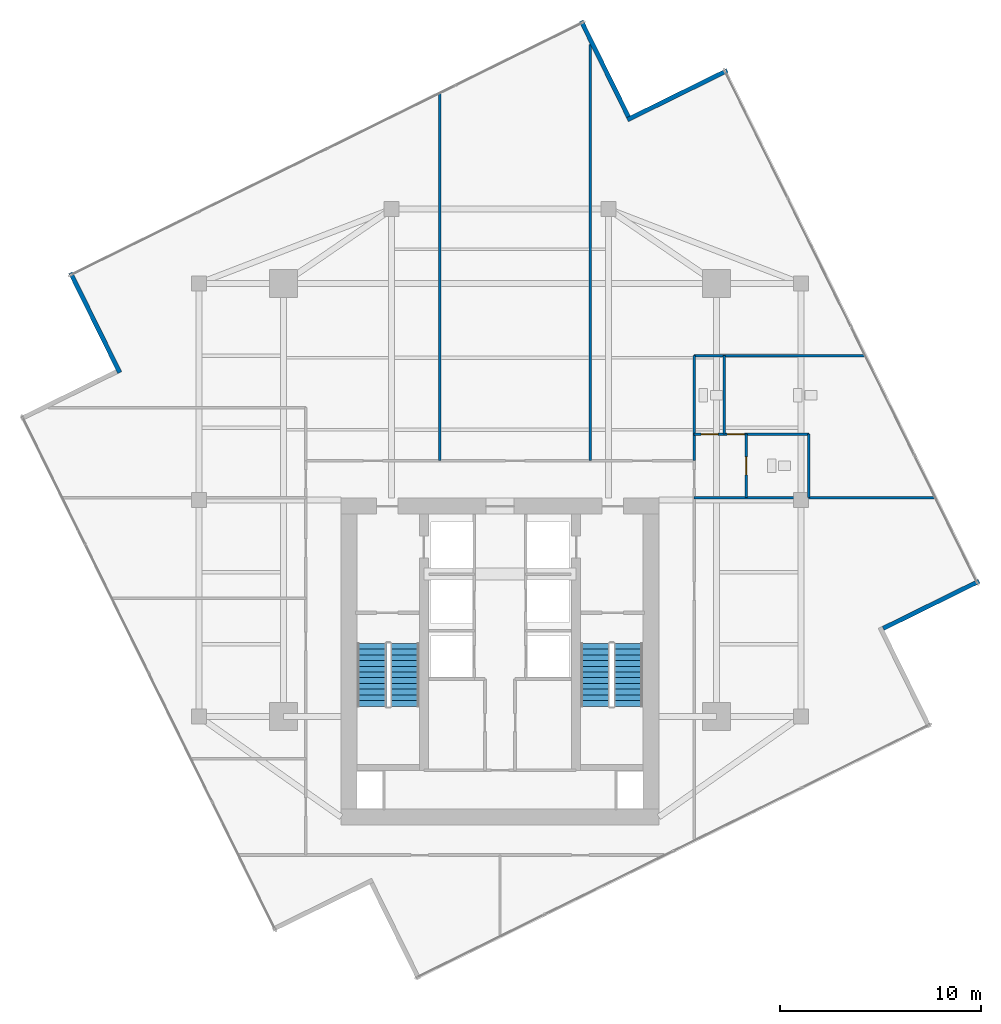
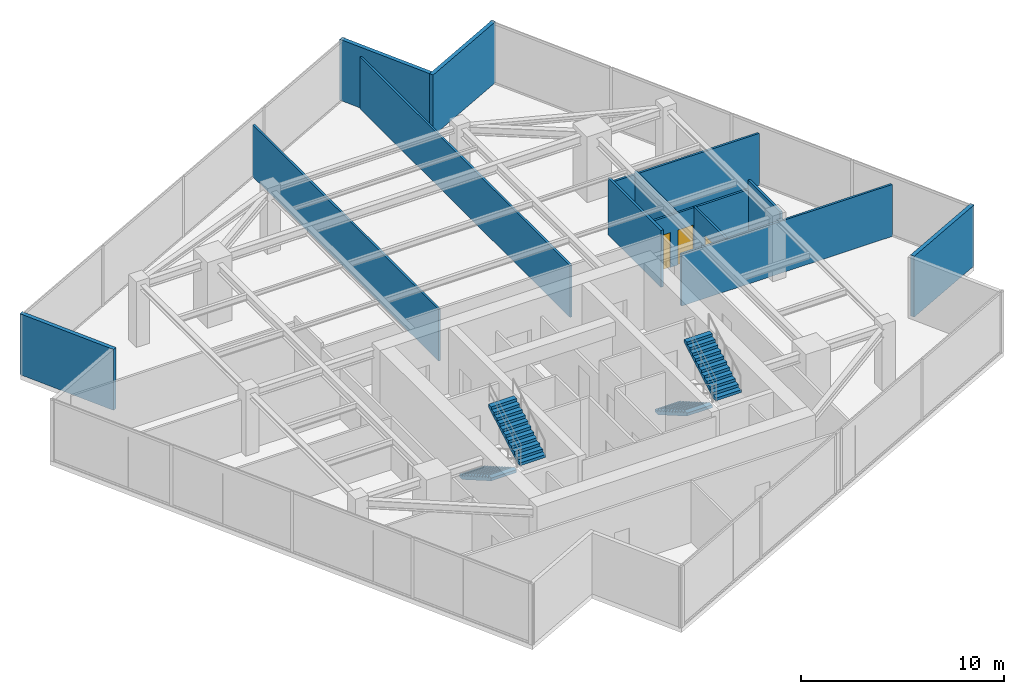
# One storey, part 20 of 22: 13 walls, 4 stair flights, 3 doors, 3 openings, 2 elements without a shape of their own.
"""IFC4 building model written with IfcOpenShell, lengths in metres."""

from ifc_helpers import new_model, si_unit, direction, frame, frame_2d, origin, place, context, subcontext, project, spatial, polyline, rectangle, outline, extrude, material, layer, layer_set, type_object, element, fill, aggregate, save


model = new_model("IFC4")

# Units and contexts
model_context = context("Model", 3, precision=1e-05, world=origin(), true_north=direction((0.0, 1.0)))
body_context = subcontext(model_context, "Body", "Model", "MODEL_VIEW")
ifc_project = project(units=[si_unit("LENGTHUNIT", "METRE"), si_unit("AREAUNIT", "SQUARE_METRE"), si_unit("VOLUMEUNIT", "CUBIC_METRE"), si_unit("PLANEANGLEUNIT", "RADIAN"), si_unit("MASSUNIT", "GRAM", prefix="KILO")], contexts=[model_context])

# Site, building, storey
site_placement = place(None, origin())
site = spatial("IfcSite", under=ifc_project, at=site_placement, CompositionType="ELEMENT")
building_placement = place(site_placement, origin())
building = spatial("IfcBuilding", under=site, at=building_placement, Name="Krantzveldt Concourse Tower", CompositionType="ELEMENT")
storey_placement = place(building_placement, frame((0.0, 0.0, 310.85009765625)))
storey = spatial("IfcBuildingStorey", under=building, at=storey_placement, Name="L76", CompositionType="ELEMENT", Elevation=310.85009765625)

# Walls
ifc_material_1 = material(Name="Anodised aluminium 6063-T6", Category="aluminium")
ifc_layer_1 = layer(ifc_material_1, 0.219970703125, Name="Anodised aluminium 6063-T6", Category="aluminium")
ifc_layer_set_1 = layer_set([ifc_layer_1], Name="Anodised aluminium 6063-T6 (WL-EXT-NOTCH220)")
wall_type_1 = type_object("IfcWallType", Name="WL-EXT-NOTCH220", PredefinedType="ELEMENTEDWALL", material=ifc_layer_set_1)
wall_1_placement = place(storey_placement, frame((42.40185546875, 45.80126953125, 0.0), z_axis=(0.0, 0.0, 1.0), x_axis=(-0.442291978932, 0.896871119712, 0.0)))
element("IfcWall", 1, at=wall_1_placement, inside=storey, type_object=wall_type_1, Name="EW-L76-NCH00", PredefinedType="ELEMENTEDWALL", context=body_context, shape_type="SweptSolid", body=[
    extrude(rectangle(XDim=5.324951171875, YDim=0.219970703125, at=frame_2d((2.66259765625, 0.0))), origin(), (0.0, 0.0, 1.0), 3.669921875),
])
wall_2_placement = place(storey_placement, frame((14.593505859375, 38.025146484375, 0.0), z_axis=(0.0, 0.0, 1.0), x_axis=(0.442275503639, -0.896879244314, 0.0)))
element("IfcWall", 2, at=wall_2_placement, inside=storey, type_object=wall_type_1, Name="EW-L76-NCH02", PredefinedType="ELEMENTEDWALL", context=body_context, shape_type="SweptSolid", body=[
    extrude(rectangle(XDim=5.544921875, YDim=0.219970703125, at=frame_2d((2.7724609375, 0.0))), origin(), (0.0, 0.0, 1.0), 3.669921875),
])
wall_3_placement = place(storey_placement, frame((55.101318359375, 20.298095703125, 0.0), z_axis=(0.0, 0.0, 1.0), x_axis=(0.896871119712, 0.442291978932, 0.0)))
element("IfcWall", 3, at=wall_3_placement, inside=storey, type_object=wall_type_1, Name="EW-L76-NCH09", PredefinedType="ELEMENTEDWALL", context=body_context, shape_type="SweptSolid", body=[
    extrude(rectangle(XDim=5.324951171875, YDim=0.219970703125, at=frame_2d((2.66259765625, 0.0))), origin(), (0.0, 0.0, 1.0), 3.669921875),
])
wall_4_placement = place(storey_placement, frame((47.324951171875, 48.1064453125, 0.0), z_axis=(0.0, 0.0, 1.0), x_axis=(-0.896879244314, -0.442275503639, 0.0)))
element("IfcWall", 4, at=wall_4_placement, inside=storey, type_object=wall_type_1, Name="EW-L76-NCH11", PredefinedType="ELEMENTEDWALL", context=body_context, shape_type="SweptSolid", body=[
    extrude(rectangle(XDim=5.544921875, YDim=0.219970703125, at=frame_2d((2.7724609375, 0.0))), origin(), (0.0, 0.0, 1.0), 3.669921875),
])
ifc_material_2 = material(Name="Fire-rated gypsum plasterboard on steel stud", Category="steel")
ifc_layer_2 = layer(ifc_material_2, 0.1201171875, Name="Fire-rated gypsum plasterboard on steel stud", Category="steel")
ifc_layer_set_2 = layer_set([ifc_layer_2], Name="Fire-rated gypsum plasterboard on steel stud (WL-PART-120)")
wall_type_2 = type_object("IfcWallType", Name="WL-PART-120", PredefinedType="PARTITIONING", material=ifc_layer_set_2)
wall_5_placement = place(storey_placement, frame((45.679931640625, 26.820068359375, 0.0), z_axis=(0.0, 0.0, 1.0), x_axis=(1.0, 0.0, 0.0)))
element("IfcWall", 5, at=wall_5_placement, inside=storey, type_object=wall_type_2, Name="WP-L76-WCBS", PredefinedType="PARTITIONING", context=body_context, shape_type="SweptSolid", body=[
    extrude(rectangle(XDim=12.01416015625, YDim=0.1201171875, at=frame_2d((6.007080078125, 0.0))), origin(), (0.0, 0.0, 1.0), 3.1298828125),
])
wall_6_placement = place(storey_placement, frame((45.679931640625, 33.89990234375, 0.0), z_axis=(0.0, 0.0, 1.0), x_axis=(1.0, 0.0, 0.0)))
element("IfcWall", 6, at=wall_6_placement, inside=storey, type_object=wall_type_2, Name="WP-L76-WCBN", PredefinedType="PARTITIONING", context=body_context, shape_type="SweptSolid", body=[
    extrude(rectangle(XDim=8.522705078125, YDim=0.1201171875, at=frame_2d((4.26123046875, 0.0))), origin(), (0.0, 0.0, 1.0), 3.1298828125),
])

# Wall, openings, doors
wall_7_placement = place(storey_placement, frame((45.679931640625, 29.97998046875, 0.0), z_axis=(0.0, 0.0, 1.0), x_axis=(1.0, 0.0, 0.0)))
wall_7 = element("IfcWall", 7, at=wall_7_placement, inside=storey, type_object=wall_type_2, Name="WP-L76-WCMH", PredefinedType="PARTITIONING", context=body_context, shape_type="SweptSolid", body=[
    extrude(rectangle(XDim=5.719970703125, YDim=0.1201171875, at=frame_2d((2.85986328125, 0.0))), origin(), (0.0, 0.0, 1.0), 3.1298828125),
])
opening_1_placement = place(wall_7_placement, frame((1.64501953125, 0.0, 0.0)))
opening_1 = element("IfcOpeningElement", 8, at=opening_1_placement, cuts=wall_7, Name="Opening D-IN085", PredefinedType="OPENING", context=body_context, shape_type="SweptSolid", body=[
    extrude(rectangle(XDim=0.85009765625, YDim=2.10009765625, at=frame_2d((0.425048828125, 1.050048828125))), frame((0.0, 0.070068359375, 0.0), z_axis=(0.0, -1.0, 0.0), x_axis=(1.0, 0.0, 0.0)), (0.0, 0.0, 1.0), 0.14013671875),
])
opening_2_placement = place(wall_7_placement, frame((0.344970703125, 0.0, 0.0)))
opening_2 = element("IfcOpeningElement", 9, at=opening_2_placement, cuts=wall_7, Name="Opening D-IN085", PredefinedType="OPENING", context=body_context, shape_type="SweptSolid", body=[
    extrude(rectangle(XDim=0.85009765625, YDim=2.10009765625, at=frame_2d((0.425048828125, 1.050048828125))), frame((0.0, 0.070068359375, 0.0), z_axis=(0.0, -1.0, 0.0), x_axis=(1.0, 0.0, 0.0)), (0.0, 0.0, 1.0), 0.14013671875),
])
ifc_material_3 = material(Name="Hardwood timber", Category="wood")
door_type_1 = type_object("IfcDoorType", Name="DR-INT-850", OperationType="SINGLE_SWING_LEFT", PredefinedType="DOOR", material=ifc_material_3)
door_1_placement = place(opening_1_placement, origin())
door_1 = element("IfcDoor", 10, at=door_1_placement, inside=storey, type_object=door_type_1, Name="DR-L76-WCM", OperationType="SINGLE_SWING_RIGHT", OverallHeight=2.10009765625, OverallWidth=0.85009765625, PredefinedType="DOOR", context=body_context, shape_type="SweptSolid", body=[
    extrude(rectangle(XDim=0.85009765625, YDim=2.10009765625, at=frame_2d((0.425048828125, 1.050048828125))), frame((0.0, 0.02490234375, 0.0), z_axis=(0.0, -1.0, 0.0), x_axis=(1.0, 0.0, 0.0)), (0.0, 0.0, 1.0), 0.050048828125),
])
fill(opening_1, door_1)
door_2_placement = place(opening_2_placement, origin())
door_2 = element("IfcDoor", 11, at=door_2_placement, inside=storey, type_object=door_type_1, Name="DR-L76-WCF", OperationType="SINGLE_SWING_LEFT", OverallHeight=2.10009765625, OverallWidth=0.85009765625, PredefinedType="DOOR", context=body_context, shape_type="SweptSolid", body=[
    extrude(rectangle(XDim=0.85009765625, YDim=2.10009765625, at=frame_2d((0.425048828125, 1.050048828125))), frame((0.0, 0.02490234375, 0.0), z_axis=(0.0, -1.0, 0.0), x_axis=(1.0, 0.0, 0.0)), (0.0, 0.0, 1.0), 0.050048828125),
])
fill(opening_2, door_2)

# Wall
wall_8_placement = place(storey_placement, frame((51.39990234375, 26.820068359375, 0.0), z_axis=(0.0, 0.0, 1.0), x_axis=(0.0, 1.0, 0.0)))
element("IfcWall", 12, at=wall_8_placement, inside=storey, type_object=wall_type_2, Name="WP-L76-WCAR", PredefinedType="PARTITIONING", context=body_context, shape_type="SweptSolid", body=[
    extrude(rectangle(XDim=3.159912109375, YDim=0.1201171875, at=frame_2d((1.580078125, 0.0))), origin(), (0.0, 0.0, 1.0), 3.669921875),
])

# Wall, opening, door
wall_9_placement = place(storey_placement, frame((48.280029296875, 26.820068359375, 0.0), z_axis=(0.0, 0.0, 1.0), x_axis=(0.0, 1.0, 0.0)))
wall_9 = element("IfcWall", 13, at=wall_9_placement, inside=storey, type_object=wall_type_2, Name="WP-L76-WCAV", PredefinedType="PARTITIONING", context=body_context, shape_type="SweptSolid", body=[
    extrude(rectangle(XDim=3.159912109375, YDim=0.1201171875, at=frame_2d((1.580078125, 0.0))), origin(), (0.0, 0.0, 1.0), 3.179931640625),
])
opening_3_placement = place(wall_9_placement, frame((1.1298828125, 0.0, 0.0)))
opening_3 = element("IfcOpeningElement", 14, at=opening_3_placement, cuts=wall_9, Name="Opening D-IN090", PredefinedType="OPENING", context=body_context, shape_type="SweptSolid", body=[
    extrude(rectangle(XDim=0.89990234375, YDim=2.10009765625, at=frame_2d((0.449951171875, 1.050048828125))), frame((0.0, 0.070068359375, 0.0), z_axis=(0.0, -1.0, 0.0), x_axis=(1.0, 0.0, 0.0)), (0.0, 0.0, 1.0), 0.14013671875),
])
door_type_2 = type_object("IfcDoorType", Name="DR-INT-900", OperationType="SINGLE_SWING_LEFT", PredefinedType="DOOR", material=ifc_material_3)
door_3_placement = place(opening_3_placement, origin())
door_3 = element("IfcDoor", 15, at=door_3_placement, inside=storey, type_object=door_type_2, Name="DR-L76-WCA", OperationType="SINGLE_SWING_RIGHT", OverallHeight=2.10009765625, OverallWidth=0.89990234375, PredefinedType="DOOR", context=body_context, shape_type="SweptSolid", body=[
    extrude(rectangle(XDim=0.89990234375, YDim=2.10009765625, at=frame_2d((0.449951171875, 1.050048828125))), frame((0.0, 0.02490234375, 0.0), z_axis=(0.0, -1.0, 0.0), x_axis=(1.0, 0.0, 0.0)), (0.0, 0.0, 1.0), 0.050048828125),
])
fill(opening_3, door_3)

# Walls
wall_10_placement = place(storey_placement, frame((47.179931640625, 29.97998046875, 0.0), z_axis=(0.0, 0.0, 1.0), x_axis=(0.0, 1.0, 0.0)))
element("IfcWall", 16, at=wall_10_placement, inside=storey, type_object=wall_type_2, Name="WP-L76-WCFD", PredefinedType="PARTITIONING", context=body_context, shape_type="SweptSolid", body=[
    extrude(rectangle(XDim=3.919921875, YDim=0.1201171875, at=frame_2d((1.9599609375, 0.0))), origin(), (0.0, 0.0, 1.0), 3.309814453125),
])
wall_11_placement = place(storey_placement, frame((33.0, 28.659912109375, 0.0), z_axis=(0.0, 0.0, 1.0), x_axis=(0.0, 1.0, 0.0)))
element("IfcWall", 17, at=wall_11_placement, inside=storey, type_object=wall_type_2, Name="WP-L76-ND1", PredefinedType="PARTITIONING", context=body_context, shape_type="SweptSolid", body=[
    extrude(rectangle(XDim=18.31396484375, YDim=0.1201171875, at=frame_2d((9.156982421875, 0.0))), origin(), (0.0, 0.0, 1.0), 3.1298828125),
])
wall_12_placement = place(storey_placement, frame((40.5, 28.659912109375, 0.0), z_axis=(0.0, 0.0, 1.0), x_axis=(0.0, 1.0, 0.0)))
element("IfcWall", 18, at=wall_12_placement, inside=storey, type_object=wall_type_2, Name="WP-L76-ND2", PredefinedType="PARTITIONING", context=body_context, shape_type="SweptSolid", body=[
    extrude(rectangle(XDim=20.738037109375, YDim=0.1201171875, at=frame_2d((10.369140625, 0.0))), origin(), (0.0, 0.0, 1.0), 3.1298828125),
])
ifc_layer_3 = layer(ifc_material_2, 0.139892578125, Name="Fire-rated gypsum plasterboard on steel stud", Category="steel")
ifc_layer_set_3 = layer_set([ifc_layer_3], Name="Fire-rated gypsum plasterboard on steel stud (WL-PART-140)")
wall_type_3 = type_object("IfcWallType", Name="WL-PART-140", PredefinedType="PARTITIONING", material=ifc_layer_set_3)
wall_13_placement = place(storey_placement, frame((45.679931640625, 28.659912109375, 0.0), z_axis=(0.0, 0.0, 1.0), x_axis=(0.0, 1.0, 0.0)))
element("IfcWall", 19, at=wall_13_placement, inside=storey, type_object=wall_type_3, Name="WP-L76-NER", PredefinedType="PARTITIONING", context=body_context, shape_type="SweptSolid", body=[
    extrude(rectangle(XDim=5.239990234375, YDim=0.139892578125, at=frame_2d((2.6201171875, 0.0))), origin(), (0.0, 0.0, 1.0), 3.429931640625),
])

# Stair, stair flights
ifc_material_4 = material(Name="Precast concrete C40/50", Category="concrete")
stair_type = type_object("IfcStairType", Name="STR-CORE-DOGLEG", PredefinedType="HALF_TURN_STAIR", material=ifc_material_4)
stair_1_placement = place(storey_placement, origin())
stair_1 = element("IfcStair", 20, at=stair_1_placement, inside=storey, type_object=stair_type, Name="L76 Protected Escape Stair ST-1", PredefinedType="HALF_TURN_STAIR")
stair_flight_type = type_object("IfcStairFlightType", Name="STF-CORE-1450", PredefinedType="STRAIGHT", material=ifc_material_4)
stair_flight_1_placement = place(storey_placement, frame((29.60498046875, 19.550048828125, 0.0), z_axis=(0.0, 0.0, 1.0), x_axis=(0.0, -1.0, 0.0)))
stair_flight_1 = element("IfcStairFlight", 21, at=stair_flight_1_placement, type_object=stair_flight_type, Name="ST-1 flight 1", NumberOfRisers=12, NumberOfTreads=11, PredefinedType="STRAIGHT", RiserHeight=0.164583333, TreadLength=0.285, context=body_context, shape_type="SweptSolid", body=[
    extrude(outline(polyline([(0.0, 0.0), (0.0, 0.16455078125), (0.284912109375, 0.16455078125), (0.284912109375, 0.3291015625), (0.570068359375, 0.3291015625), (0.570068359375, 0.49365234375), (0.85498046875, 0.49365234375), (0.85498046875, 0.658447265625), (1.139892578125, 0.658447265625), (1.139892578125, 0.822998046875), (1.425048828125, 0.822998046875), (1.425048828125, 0.987548828125), (1.7099609375, 0.987548828125), (1.7099609375, 1.152099609375), (1.9951171875, 1.152099609375), (1.9951171875, 1.316650390625), (2.280029296875, 1.316650390625), (2.280029296875, 1.481201171875), (2.56494140625, 1.481201171875), (2.56494140625, 1.645751953125), (2.85009765625, 1.645751953125), (2.85009765625, 1.810302734375), (3.135009765625, 1.810302734375), (3.135009765625, 1.97509765625), (3.135009765625, 1.63720703125), (0.2998046875, 0.0), (0.0, 0.0)])), frame((0.0, 0.72509765625, 0.0), z_axis=(0.0, -1.0, 0.0), x_axis=(1.0, 0.0, 0.0)), (0.0, 0.0, 1.0), 1.449951171875),
])
stair_flight_2_placement = place(storey_placement, frame((31.2548828125, 16.4150390625, 1.974853515625), z_axis=(0.0, 0.0, 1.0), x_axis=(0.0, 1.0, 0.0)))
stair_flight_2 = element("IfcStairFlight", 22, at=stair_flight_2_placement, type_object=stair_flight_type, Name="ST-1 flight 2", NumberOfRisers=12, NumberOfTreads=11, PredefinedType="STRAIGHT", RiserHeight=0.164583333, TreadLength=0.285, context=body_context, shape_type="SweptSolid", body=[
    extrude(outline(polyline([(0.0, 0.0), (0.0, 0.16455078125), (0.284912109375, 0.16455078125), (0.284912109375, 0.3291015625), (0.570068359375, 0.3291015625), (0.570068359375, 0.49365234375), (0.85498046875, 0.49365234375), (0.85498046875, 0.658447265625), (1.139892578125, 0.658447265625), (1.139892578125, 0.822998046875), (1.425048828125, 0.822998046875), (1.425048828125, 0.987548828125), (1.7099609375, 0.987548828125), (1.7099609375, 1.152099609375), (1.9951171875, 1.152099609375), (1.9951171875, 1.316650390625), (2.280029296875, 1.316650390625), (2.280029296875, 1.481201171875), (2.56494140625, 1.481201171875), (2.56494140625, 1.645751953125), (2.85009765625, 1.645751953125), (2.85009765625, 1.810302734375), (3.135009765625, 1.810302734375), (3.135009765625, 1.97509765625), (3.135009765625, 1.63720703125), (0.2998046875, 0.0), (0.0, 0.0)])), frame((0.0, 0.72509765625, 0.0), z_axis=(0.0, -1.0, 0.0), x_axis=(1.0, 0.0, 0.0)), (0.0, 0.0, 1.0), 1.449951171875),
])
aggregate(stair_1, [stair_flight_1, stair_flight_2])

stair_2_placement = place(storey_placement, origin())
stair_2 = element("IfcStair", 23, at=stair_2_placement, inside=storey, type_object=stair_type, Name="L76 Protected Escape Stair ST-2", PredefinedType="HALF_TURN_STAIR")
stair_flight_3_placement = place(storey_placement, frame((40.7451171875, 19.550048828125, 0.0), z_axis=(0.0, 0.0, 1.0), x_axis=(0.0, -1.0, 0.0)))
stair_flight_3 = element("IfcStairFlight", 24, at=stair_flight_3_placement, type_object=stair_flight_type, Name="ST-2 flight 1", NumberOfRisers=12, NumberOfTreads=11, PredefinedType="STRAIGHT", RiserHeight=0.164583333, TreadLength=0.285, context=body_context, shape_type="SweptSolid", body=[
    extrude(outline(polyline([(0.0, 0.0), (0.0, 0.16455078125), (0.284912109375, 0.16455078125), (0.284912109375, 0.3291015625), (0.570068359375, 0.3291015625), (0.570068359375, 0.49365234375), (0.85498046875, 0.49365234375), (0.85498046875, 0.658447265625), (1.139892578125, 0.658447265625), (1.139892578125, 0.822998046875), (1.425048828125, 0.822998046875), (1.425048828125, 0.987548828125), (1.7099609375, 0.987548828125), (1.7099609375, 1.152099609375), (1.9951171875, 1.152099609375), (1.9951171875, 1.316650390625), (2.280029296875, 1.316650390625), (2.280029296875, 1.481201171875), (2.56494140625, 1.481201171875), (2.56494140625, 1.645751953125), (2.85009765625, 1.645751953125), (2.85009765625, 1.810302734375), (3.135009765625, 1.810302734375), (3.135009765625, 1.97509765625), (3.135009765625, 1.63720703125), (0.2998046875, 0.0), (0.0, 0.0)])), frame((0.0, 0.72509765625, 0.0), z_axis=(0.0, -1.0, 0.0), x_axis=(1.0, 0.0, 0.0)), (0.0, 0.0, 1.0), 1.449951171875),
])
stair_flight_4_placement = place(storey_placement, frame((42.39501953125, 16.4150390625, 1.974853515625), z_axis=(0.0, 0.0, 1.0), x_axis=(0.0, 1.0, 0.0)))
stair_flight_4 = element("IfcStairFlight", 25, at=stair_flight_4_placement, type_object=stair_flight_type, Name="ST-2 flight 2", NumberOfRisers=12, NumberOfTreads=11, PredefinedType="STRAIGHT", RiserHeight=0.164583333, TreadLength=0.285, context=body_context, shape_type="SweptSolid", body=[
    extrude(outline(polyline([(0.0, 0.0), (0.0, 0.16455078125), (0.284912109375, 0.16455078125), (0.284912109375, 0.3291015625), (0.570068359375, 0.3291015625), (0.570068359375, 0.49365234375), (0.85498046875, 0.49365234375), (0.85498046875, 0.658447265625), (1.139892578125, 0.658447265625), (1.139892578125, 0.822998046875), (1.425048828125, 0.822998046875), (1.425048828125, 0.987548828125), (1.7099609375, 0.987548828125), (1.7099609375, 1.152099609375), (1.9951171875, 1.152099609375), (1.9951171875, 1.316650390625), (2.280029296875, 1.316650390625), (2.280029296875, 1.481201171875), (2.56494140625, 1.481201171875), (2.56494140625, 1.645751953125), (2.85009765625, 1.645751953125), (2.85009765625, 1.810302734375), (3.135009765625, 1.810302734375), (3.135009765625, 1.97509765625), (3.135009765625, 1.63720703125), (0.2998046875, 0.0), (0.0, 0.0)])), frame((0.0, 0.72509765625, 0.0), z_axis=(0.0, -1.0, 0.0), x_axis=(1.0, 0.0, 0.0)), (0.0, 0.0, 1.0), 1.449951171875),
])
aggregate(stair_2, [stair_flight_3, stair_flight_4])

save(model, "model.ifc")
